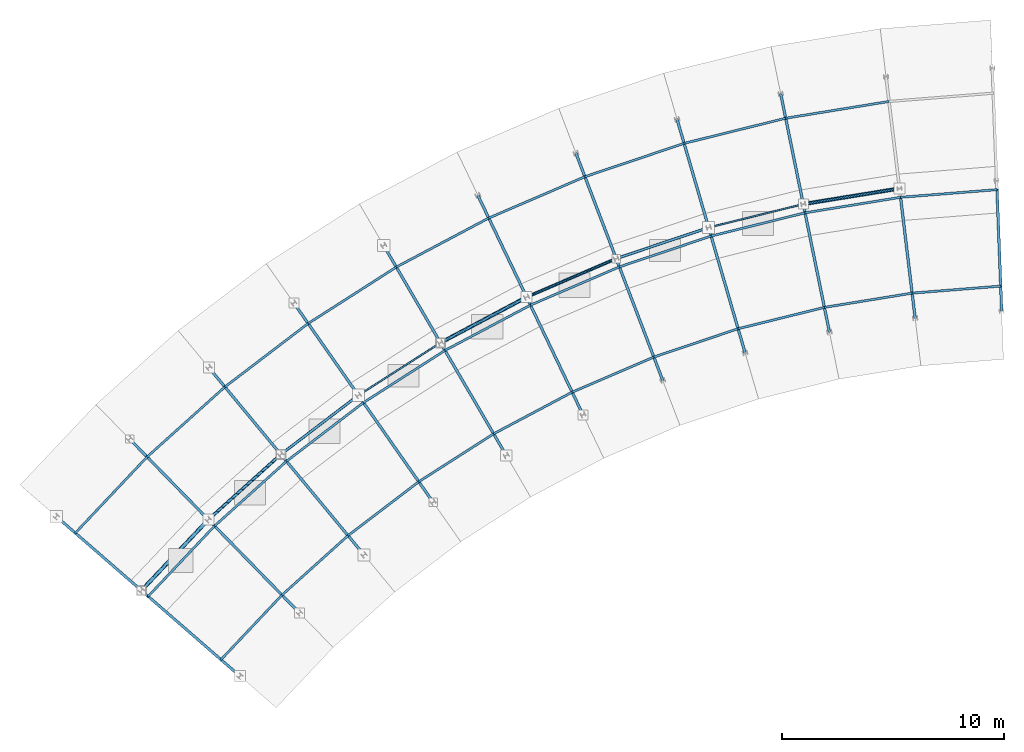
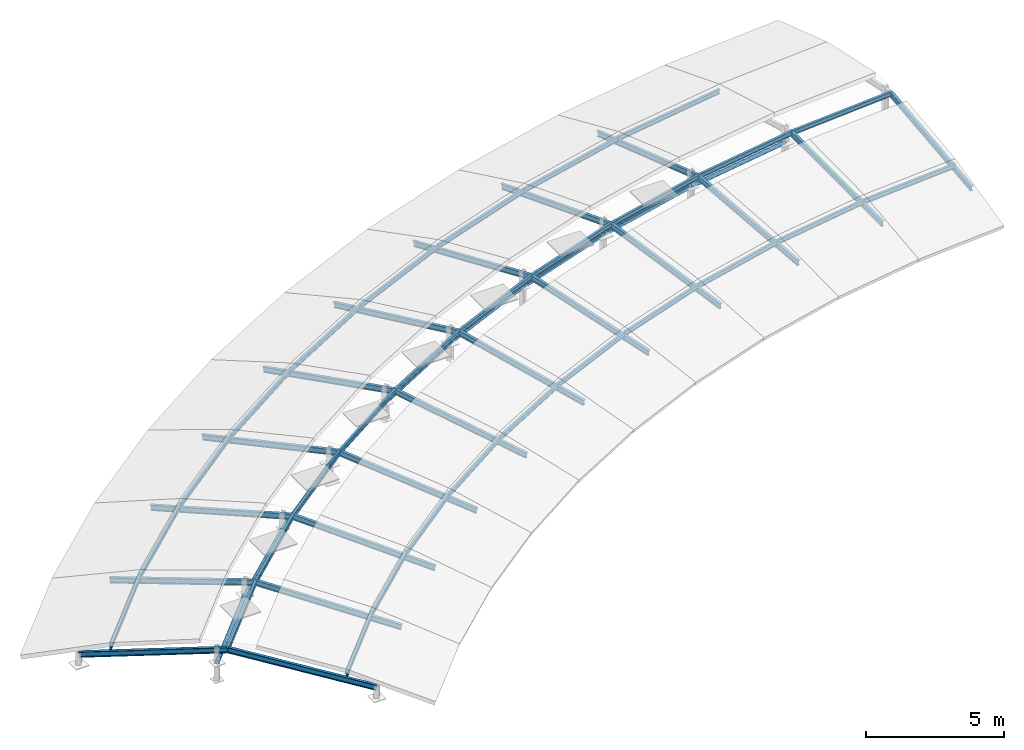
# One storey, part 6 of 8: 49 beams, 9 members.
"""IFC4 building model written with IfcOpenShell, lengths in metres."""

from ifc_helpers import new_model, si_unit, direction, frame, origin, origin_2d, place, context, subcontext, project, spatial, hollow_rectangle, hollow_circle, i_section, extrude, material, material_profile, profile_set, type_object, element, save


model = new_model("IFC4")

# Units and contexts
model_context = context("Model", 3, precision=1e-05, world=origin(), true_north=direction((0.0, 1.0)))
body_context = subcontext(model_context, "Body", "Model", "MODEL_VIEW")
ifc_project = project(units=[si_unit("LENGTHUNIT", "METRE"), si_unit("AREAUNIT", "SQUARE_METRE"), si_unit("VOLUMEUNIT", "CUBIC_METRE"), si_unit("PLANEANGLEUNIT", "RADIAN"), si_unit("MASSUNIT", "GRAM", prefix="KILO")], contexts=[model_context])

# Site, building, storey
site_placement = place(None, origin())
site = spatial("IfcSite", under=ifc_project, at=site_placement, CompositionType="ELEMENT")
building_placement = place(site_placement, origin())
building = spatial("IfcBuilding", under=site, at=building_placement, Name="Zimvara Arc Housing Community", CompositionType="ELEMENT")
storey_placement = place(building_placement, frame((0.0, 0.0, 45.300048828125)))
storey = spatial("IfcBuildingStorey", under=building, at=storey_placement, Name="RF", CompositionType="ELEMENT", Elevation=45.300048828125)

# Beams
ifc_material_1 = material(Name="Steel S355", Category="steel")
ifc_material_profile_1 = material_profile(ifc_material_1, i_section(OverallWidth=0.10009765625, OverallDepth=0.199951171875, WebThickness=0.005615234375, FlangeThickness=0.008544921875, FilletRadius=0.011962890625, at=origin_2d()), Name="IPE 200")
ifc_profile_set_1 = profile_set([ifc_material_profile_1], Name="Steel S355")
beam_type_1 = type_object("IfcBeamType", Name="BM-ST-IPE200", PredefinedType="JOIST", material=ifc_profile_set_1)
beam_1_placement = place(storey_placement, frame((7.9814453125, 76.6796875, 0.824951171875), z_axis=(0.68632994839, 0.727290314759, 0.0), x_axis=(-0.727290314759, 0.68632994839, 0.0)))
element("IfcBeam", 1, at=beam_1_placement, inside=storey, type_object=beam_type_1, Name="bm:blkA:RF:p_in:b0", PredefinedType="JOIST", context=body_context, shape_type="SweptSolid", body=[
    extrude(i_section(OverallWidth=0.10009765625, OverallDepth=0.199951171875, WebThickness=0.005615234375, FlangeThickness=0.008544921875, FilletRadius=0.011962890625, at=origin_2d()), origin(), (0.0, 0.0, 1.0), 4.00537109375),
])
beam_2_placement = place(storey_placement, frame((4.698486328125, 79.533447265625, 1.4150390625), z_axis=(0.686319345902, 0.727300319978, 0.0), x_axis=(-0.727300319978, 0.686319345902, 0.0)))
element("IfcBeam", 2, at=beam_2_placement, inside=storey, type_object=beam_type_1, Name="bm:blkA:RF:p_crb:b0", PredefinedType="JOIST", context=body_context, shape_type="SweptSolid", body=[
    extrude(i_section(OverallWidth=0.10009765625, OverallDepth=0.199951171875, WebThickness=0.005615234375, FlangeThickness=0.008544921875, FilletRadius=0.011962890625, at=origin_2d()), origin(), (0.0, 0.0, 1.0), 4.36083984375),
])
beam_3_placement = place(storey_placement, frame((1.41552734375, 82.387451171875, 0.824951171875), z_axis=(0.686334639467, 0.727285887851, 0.0), x_axis=(-0.727285887851, 0.686334639467, 0.0)))
element("IfcBeam", 3, at=beam_3_placement, inside=storey, type_object=beam_type_1, Name="bm:blkA:RF:p_out:b0", PredefinedType="JOIST", context=body_context, shape_type="SweptSolid", body=[
    extrude(i_section(OverallWidth=0.10009765625, OverallDepth=0.199951171875, WebThickness=0.005615234375, FlangeThickness=0.008544921875, FilletRadius=0.011962890625, at=origin_2d()), origin(), (0.0, 0.0, 1.0), 4.7158203125),
])
beam_4_placement = place(storey_placement, frame((10.73046875, 79.5927734375, 0.824951171875), z_axis=(0.743397187037, 0.66885022412, 0.0), x_axis=(-0.66885022412, 0.743397187037, 0.0)))
element("IfcBeam", 4, at=beam_4_placement, inside=storey, type_object=beam_type_1, Name="bm:blkA:RF:p_in:b1", PredefinedType="JOIST", context=body_context, shape_type="SweptSolid", body=[
    extrude(i_section(OverallWidth=0.10009765625, OverallDepth=0.199951171875, WebThickness=0.005615234375, FlangeThickness=0.008544921875, FilletRadius=0.011962890625, at=origin_2d()), origin(), (0.0, 0.0, 1.0), 4.00537109375),
])
beam_5_placement = place(storey_placement, frame((7.69140625, 82.705078125, 1.4150390625), z_axis=(0.74338601317, 0.668862643167, 0.0), x_axis=(-0.668862643167, 0.74338601317, 0.0)))
element("IfcBeam", 5, at=beam_5_placement, inside=storey, type_object=beam_type_1, Name="bm:blkA:RF:p_crb:b1", PredefinedType="JOIST", context=body_context, shape_type="SweptSolid", body=[
    extrude(i_section(OverallWidth=0.10009765625, OverallDepth=0.199951171875, WebThickness=0.005615234375, FlangeThickness=0.008544921875, FilletRadius=0.011962890625, at=origin_2d()), origin(), (0.0, 0.0, 1.0), 4.3603515625),
])
beam_6_placement = place(storey_placement, frame((4.652099609375, 85.817138671875, 0.824951171875), z_axis=(0.743373942038, 0.668876058997, 0.0), x_axis=(-0.668876058997, 0.743373942038, 0.0)))
element("IfcBeam", 6, at=beam_6_placement, inside=storey, type_object=beam_type_1, Name="bm:blkA:RF:p_out:b1", PredefinedType="JOIST", context=body_context, shape_type="SweptSolid", body=[
    extrude(i_section(OverallWidth=0.10009765625, OverallDepth=0.199951171875, WebThickness=0.005615234375, FlangeThickness=0.008544921875, FilletRadius=0.011962890625, at=origin_2d()), origin(), (0.0, 0.0, 1.0), 4.7158203125),
])
beam_7_placement = place(storey_placement, frame((13.7080078125, 82.271728515625, 0.824951171875), z_axis=(0.795456905732, 0.606010157608, 0.0), x_axis=(-0.606010157608, 0.795456905732, 0.0)))
element("IfcBeam", 7, at=beam_7_placement, inside=storey, type_object=beam_type_1, Name="bm:blkA:RF:p_in:b2", PredefinedType="JOIST", context=body_context, shape_type="SweptSolid", body=[
    extrude(i_section(OverallWidth=0.10009765625, OverallDepth=0.199951171875, WebThickness=0.005615234375, FlangeThickness=0.008544921875, FilletRadius=0.011962890625, at=origin_2d()), origin(), (0.0, 0.0, 1.0), 4.00537109375),
])
beam_8_placement = place(storey_placement, frame((10.932861328125, 85.62158203125, 1.4150390625), z_axis=(0.795462564036, 0.606002730372, 0.0), x_axis=(-0.606002730372, 0.795462564036, 0.0)))
element("IfcBeam", 8, at=beam_8_placement, inside=storey, type_object=beam_type_1, Name="bm:blkA:RF:p_crb:b2", PredefinedType="JOIST", context=body_context, shape_type="SweptSolid", body=[
    extrude(i_section(OverallWidth=0.10009765625, OverallDepth=0.199951171875, WebThickness=0.005615234375, FlangeThickness=0.008544921875, FilletRadius=0.011962890625, at=origin_2d()), origin(), (0.0, 0.0, 1.0), 4.360595703125),
])
beam_9_placement = place(storey_placement, frame((8.15771484375, 88.971435546875, 0.824951171875), z_axis=(0.795473313846, 0.605988619497, 0.0), x_axis=(-0.605988619497, 0.795473313846, 0.0)))
element("IfcBeam", 9, at=beam_9_placement, inside=storey, type_object=beam_type_1, Name="bm:blkA:RF:p_out:b2", PredefinedType="JOIST", context=body_context, shape_type="SweptSolid", body=[
    extrude(i_section(OverallWidth=0.10009765625, OverallDepth=0.199951171875, WebThickness=0.005615234375, FlangeThickness=0.008544921875, FilletRadius=0.011962890625, at=origin_2d()), origin(), (0.0, 0.0, 1.0), 4.7158203125),
])
beam_10_placement = place(storey_placement, frame((16.89404296875, 84.698974609375, 0.824951171875), z_axis=(0.84227582837, 0.539046778067, 0.0), x_axis=(-0.539046778067, 0.84227582837, 0.0)))
element("IfcBeam", 10, at=beam_10_placement, inside=storey, type_object=beam_type_1, Name="bm:blkA:RF:p_in:b3", PredefinedType="JOIST", context=body_context, shape_type="SweptSolid", body=[
    extrude(i_section(OverallWidth=0.10009765625, OverallDepth=0.199951171875, WebThickness=0.005615234375, FlangeThickness=0.008544921875, FilletRadius=0.011962890625, at=origin_2d()), origin(), (0.0, 0.0, 1.0), 4.005615234375),
])
beam_11_placement = place(storey_placement, frame((14.401611328125, 88.26416015625, 1.4150390625), z_axis=(0.842259198288, 0.539072762156, 0.0), x_axis=(-0.539072762156, 0.842259198288, 0.0)))
element("IfcBeam", 11, at=beam_11_placement, inside=storey, type_object=beam_type_1, Name="bm:blkA:RF:p_crb:b3", PredefinedType="JOIST", context=body_context, shape_type="SweptSolid", body=[
    extrude(i_section(OverallWidth=0.10009765625, OverallDepth=0.199951171875, WebThickness=0.005615234375, FlangeThickness=0.008544921875, FilletRadius=0.011962890625, at=origin_2d()), origin(), (0.0, 0.0, 1.0), 4.3603515625),
])
beam_12_placement = place(storey_placement, frame((11.908935546875, 91.8291015625, 0.824951171875), z_axis=(0.842251655676, 0.539084546718, 0.0), x_axis=(-0.539084546718, 0.842251655676, 0.0)))
element("IfcBeam", 12, at=beam_12_placement, inside=storey, type_object=beam_type_1, Name="bm:blkA:RF:p_out:b3", PredefinedType="JOIST", context=body_context, shape_type="SweptSolid", body=[
    extrude(i_section(OverallWidth=0.10009765625, OverallDepth=0.199951171875, WebThickness=0.005615234375, FlangeThickness=0.008544921875, FilletRadius=0.011962890625, at=origin_2d()), origin(), (0.0, 0.0, 1.0), 4.7158203125),
])
beam_13_placement = place(storey_placement, frame((20.267822265625, 86.858154296875, 0.824951171875), z_axis=(0.883428842422, 0.468565342697, 0.0), x_axis=(-0.468565342697, 0.883428842422, 0.0)))
element("IfcBeam", 13, at=beam_13_placement, inside=storey, type_object=beam_type_1, Name="bm:blkA:RF:p_in:b4", PredefinedType="JOIST", context=body_context, shape_type="SweptSolid", body=[
    extrude(i_section(OverallWidth=0.10009765625, OverallDepth=0.199951171875, WebThickness=0.005615234375, FlangeThickness=0.008544921875, FilletRadius=0.011962890625, at=origin_2d()), origin(), (0.0, 0.0, 1.0), 4.005126953125),
])
beam_14_placement = place(storey_placement, frame((18.07421875, 90.61474609375, 1.4150390625), z_axis=(0.883430850888, 0.468561555934, 0.0), x_axis=(-0.468561555934, 0.883430850888, 0.0)))
element("IfcBeam", 14, at=beam_14_placement, inside=storey, type_object=beam_type_1, Name="bm:blkA:RF:p_crb:b4", PredefinedType="JOIST", context=body_context, shape_type="SweptSolid", body=[
    extrude(i_section(OverallWidth=0.10009765625, OverallDepth=0.199951171875, WebThickness=0.005615234375, FlangeThickness=0.008544921875, FilletRadius=0.011962890625, at=origin_2d()), origin(), (0.0, 0.0, 1.0), 4.360595703125),
])
beam_15_placement = place(storey_placement, frame((15.880859375, 94.371337890625, 0.824951171875), z_axis=(0.883453985345, 0.468517935386, 0.0), x_axis=(-0.468517935386, 0.883453985345, 0.0)))
element("IfcBeam", 15, at=beam_15_placement, inside=storey, type_object=beam_type_1, Name="bm:blkA:RF:p_out:b4", PredefinedType="JOIST", context=body_context, shape_type="SweptSolid", body=[
    extrude(i_section(OverallWidth=0.10009765625, OverallDepth=0.199951171875, WebThickness=0.005615234375, FlangeThickness=0.008544921875, FilletRadius=0.011962890625, at=origin_2d()), origin(), (0.0, 0.0, 1.0), 4.7158203125),
])
beam_16_placement = place(storey_placement, frame((23.80615234375, 88.73486328125, 0.824951171875), z_axis=(0.918722044458, 0.394904805019, 0.0), x_axis=(-0.394904805019, 0.918722044458, 0.0)))
element("IfcBeam", 16, at=beam_16_placement, inside=storey, type_object=beam_type_1, Name="bm:blkA:RF:p_in:b5", PredefinedType="JOIST", context=body_context, shape_type="SweptSolid", body=[
    extrude(i_section(OverallWidth=0.10009765625, OverallDepth=0.199951171875, WebThickness=0.005615234375, FlangeThickness=0.008544921875, FilletRadius=0.011962890625, at=origin_2d()), origin(), (0.0, 0.0, 1.0), 4.00537109375),
])
beam_17_placement = place(storey_placement, frame((21.926513671875, 92.657958984375, 1.4150390625), z_axis=(0.918736221904, 0.39487182042, 0.0), x_axis=(-0.39487182042, 0.918736221904, 0.0)))
element("IfcBeam", 17, at=beam_17_placement, inside=storey, type_object=beam_type_1, Name="bm:blkA:RF:p_crb:b5", PredefinedType="JOIST", context=body_context, shape_type="SweptSolid", body=[
    extrude(i_section(OverallWidth=0.10009765625, OverallDepth=0.199951171875, WebThickness=0.005615234375, FlangeThickness=0.008544921875, FilletRadius=0.011962890625, at=origin_2d()), origin(), (0.0, 0.0, 1.0), 4.360595703125),
])
beam_18_placement = place(storey_placement, frame((20.047119140625, 96.580810546875, 0.824951171875), z_axis=(0.918721408935, 0.394906283521, 0.0), x_axis=(-0.394906283521, 0.918721408935, 0.0)))
element("IfcBeam", 18, at=beam_18_placement, inside=storey, type_object=beam_type_1, Name="bm:blkA:RF:p_out:b5", PredefinedType="JOIST", context=body_context, shape_type="SweptSolid", body=[
    extrude(i_section(OverallWidth=0.10009765625, OverallDepth=0.199951171875, WebThickness=0.005615234375, FlangeThickness=0.008544921875, FilletRadius=0.011962890625, at=origin_2d()), origin(), (0.0, 0.0, 1.0), 4.7158203125),
])
beam_19_placement = place(storey_placement, frame((27.486083984375, 90.316650390625, 0.824951171875), z_axis=(0.947887924161, 0.318603959847, 0.0), x_axis=(-0.318603959847, 0.947887924161, 0.0)))
element("IfcBeam", 19, at=beam_19_placement, inside=storey, type_object=beam_type_1, Name="bm:blkA:RF:p_in:b6", PredefinedType="JOIST", context=body_context, shape_type="SweptSolid", body=[
    extrude(i_section(OverallWidth=0.10009765625, OverallDepth=0.199951171875, WebThickness=0.005615234375, FlangeThickness=0.008544921875, FilletRadius=0.011962890625, at=origin_2d()), origin(), (0.0, 0.0, 1.0), 4.00537109375),
])
beam_20_placement = place(storey_placement, frame((25.932861328125, 94.3798828125, 1.4150390625), z_axis=(0.947879626716, 0.318628644751, 0.0), x_axis=(-0.318628644751, 0.947879626716, 0.0)))
element("IfcBeam", 20, at=beam_20_placement, inside=storey, type_object=beam_type_1, Name="bm:blkA:RF:p_crb:b6", PredefinedType="JOIST", context=body_context, shape_type="SweptSolid", body=[
    extrude(i_section(OverallWidth=0.10009765625, OverallDepth=0.199951171875, WebThickness=0.005615234375, FlangeThickness=0.008544921875, FilletRadius=0.011962890625, at=origin_2d()), origin(), (0.0, 0.0, 1.0), 4.360595703125),
])
beam_21_placement = place(storey_placement, frame((24.379638671875, 98.443115234375, 0.824951171875), z_axis=(0.947872578778, 0.318649610704, 0.0), x_axis=(-0.318649610704, 0.947872578778, 0.0)))
element("IfcBeam", 21, at=beam_21_placement, inside=storey, type_object=beam_type_1, Name="bm:blkA:RF:p_out:b6", PredefinedType="JOIST", context=body_context, shape_type="SweptSolid", body=[
    extrude(i_section(OverallWidth=0.10009765625, OverallDepth=0.199951171875, WebThickness=0.005615234375, FlangeThickness=0.008544921875, FilletRadius=0.011962890625, at=origin_2d()), origin(), (0.0, 0.0, 1.0), 4.7158203125),
])
beam_22_placement = place(storey_placement, frame((31.28271484375, 91.5927734375, 0.824951171875), z_axis=(0.970717036884, 0.240225798578, 0.0), x_axis=(-0.240225798578, 0.970717036884, 0.0)))
element("IfcBeam", 22, at=beam_22_placement, inside=storey, type_object=beam_type_1, Name="bm:blkA:RF:p_in:b7", PredefinedType="JOIST", context=body_context, shape_type="SweptSolid", body=[
    extrude(i_section(OverallWidth=0.10009765625, OverallDepth=0.199951171875, WebThickness=0.005615234375, FlangeThickness=0.008544921875, FilletRadius=0.011962890625, at=origin_2d()), origin(), (0.0, 0.0, 1.0), 4.005126953125),
])
beam_23_placement = place(storey_placement, frame((30.066162109375, 95.769287109375, 1.4150390625), z_axis=(0.970712841658, 0.240242750234, 0.0), x_axis=(-0.240242750234, 0.970712841658, 0.0)))
element("IfcBeam", 23, at=beam_23_placement, inside=storey, type_object=beam_type_1, Name="bm:blkA:RF:p_crb:b7", PredefinedType="JOIST", context=body_context, shape_type="SweptSolid", body=[
    extrude(i_section(OverallWidth=0.10009765625, OverallDepth=0.199951171875, WebThickness=0.005615234375, FlangeThickness=0.008544921875, FilletRadius=0.011962890625, at=origin_2d()), origin(), (0.0, 0.0, 1.0), 4.360595703125),
])
beam_24_placement = place(storey_placement, frame((28.849609375, 99.94580078125, 0.824951171875), z_axis=(0.970718363539, 0.240220437697, 0.0), x_axis=(-0.240220437697, 0.970718363539, 0.0)))
element("IfcBeam", 24, at=beam_24_placement, inside=storey, type_object=beam_type_1, Name="bm:blkA:RF:p_out:b7", PredefinedType="JOIST", context=body_context, shape_type="SweptSolid", body=[
    extrude(i_section(OverallWidth=0.10009765625, OverallDepth=0.199951171875, WebThickness=0.005615234375, FlangeThickness=0.008544921875, FilletRadius=0.011962890625, at=origin_2d()), origin(), (0.0, 0.0, 1.0), 4.7158203125),
])
beam_25_placement = place(storey_placement, frame((35.170654296875, 92.554931640625, 0.824951171875), z_axis=(0.987077089692, 0.160246120094, 0.0), x_axis=(-0.160246120094, 0.987077089692, 0.0)))
element("IfcBeam", 25, at=beam_25_placement, inside=storey, type_object=beam_type_1, Name="bm:blkA:RF:p_in:b8", PredefinedType="JOIST", context=body_context, shape_type="SweptSolid", body=[
    extrude(i_section(OverallWidth=0.10009765625, OverallDepth=0.199951171875, WebThickness=0.005615234375, FlangeThickness=0.008544921875, FilletRadius=0.011962890625, at=origin_2d()), origin(), (0.0, 0.0, 1.0), 4.00537109375),
])
beam_26_placement = place(storey_placement, frame((34.299072265625, 96.81689453125, 1.4150390625), z_axis=(0.987087060582, 0.160184689752, 0.0), x_axis=(-0.160184689752, 0.987087060582, 0.0)))
element("IfcBeam", 26, at=beam_26_placement, inside=storey, type_object=beam_type_1, Name="bm:blkA:RF:p_crb:b8", PredefinedType="JOIST", context=body_context, shape_type="SweptSolid", body=[
    extrude(i_section(OverallWidth=0.10009765625, OverallDepth=0.199951171875, WebThickness=0.005615234375, FlangeThickness=0.008544921875, FilletRadius=0.011962890625, at=origin_2d()), origin(), (0.0, 0.0, 1.0), 4.360595703125),
])
beam_27_placement = place(storey_placement, frame((33.42724609375, 101.07861328125, 0.824951171875), z_axis=(0.987079154812, 0.160233398938, 0.0), x_axis=(-0.160233398938, 0.987079154812, 0.0)))
element("IfcBeam", 27, at=beam_27_placement, inside=storey, type_object=beam_type_1, Name="bm:blkA:RF:p_out:b8", PredefinedType="JOIST", context=body_context, shape_type="SweptSolid", body=[
    extrude(i_section(OverallWidth=0.10009765625, OverallDepth=0.199951171875, WebThickness=0.005615234375, FlangeThickness=0.008544921875, FilletRadius=0.011962890625, at=origin_2d()), origin(), (0.0, 0.0, 1.0), 4.7158203125),
])
beam_28_placement = place(storey_placement, frame((39.124267578125, 93.19677734375, 0.824951171875), z_axis=(0.996860659962, 0.079175909342, 0.0), x_axis=(-0.079175909342, 0.996860659962, 0.0)))
element("IfcBeam", 28, at=beam_28_placement, inside=storey, type_object=beam_type_1, Name="bm:blkA:RF:p_in:b9", PredefinedType="JOIST", context=body_context, shape_type="SweptSolid", body=[
    extrude(i_section(OverallWidth=0.10009765625, OverallDepth=0.199951171875, WebThickness=0.005615234375, FlangeThickness=0.008544921875, FilletRadius=0.011962890625, at=origin_2d()), origin(), (0.0, 0.0, 1.0), 4.005615234375),
])
beam_29_placement = place(storey_placement, frame((38.603271484375, 97.515380859375, 1.4150390625), z_axis=(0.996861396187, 0.079166639383, 0.0), x_axis=(-0.079166639383, 0.996861396187, 0.0)))
element("IfcBeam", 29, at=beam_29_placement, inside=storey, type_object=beam_type_1, Name="bm:blkA:RF:p_crb:b9", PredefinedType="JOIST", context=body_context, shape_type="SweptSolid", body=[
    extrude(i_section(OverallWidth=0.10009765625, OverallDepth=0.199951171875, WebThickness=0.005615234375, FlangeThickness=0.008544921875, FilletRadius=0.011962890625, at=origin_2d()), origin(), (0.0, 0.0, 1.0), 4.360595703125),
])
ifc_material_2 = material(Name="Steel S355", Category="steel")
ifc_material_profile_2 = material_profile(ifc_material_2, i_section(OverallWidth=0.1201171875, OverallDepth=0.239990234375, WebThickness=0.006103515625, FlangeThickness=0.009765625, FilletRadius=0.014892578125, at=origin_2d()), Name="IPE 240")
ifc_profile_set_2 = profile_set([ifc_material_profile_2], Name="Steel S355")
beam_type_2 = type_object("IfcBeamType", Name="BM-ST-IPE240", PredefinedType="JOIST", material=ifc_profile_set_2)
for number, where, z_axis, x_axis, name in (
    (30, (8.834228515625, 75.938232421875, 0.462646484375), (-0.744011194202, 0.646771478502, 0.167731921526), (-0.656066201767, -0.754703344963, 0.0), "bm:blkA:RF:rf_in:g0"),
    (31, (4.698486328125, 79.533447265625, 1.39501953125), (-0.744011194202, 0.646771478502, -0.167731921526), (-0.656066201767, -0.754703344963, 0.0), "bm:blkA:RF:rf_out:g0"),
    (32, (11.52001953125, 78.784423828125, 0.462646484375), (-0.688760735142, 0.705318750519, 0.167732256568), (-0.715454895317, -0.698658924488, 0.0), "bm:blkA:RF:rf_in:g1"),
):
    element("IfcBeam", number, at=place(storey_placement, frame(where, z_axis=z_axis, x_axis=x_axis)), inside=storey, type_object=beam_type_2, Name=name, PredefinedType="JOIST", context=body_context, shape_type="SweptSolid", body=[
        extrude(i_section(OverallWidth=0.1201171875, OverallDepth=0.239990234375, WebThickness=0.006103515625, FlangeThickness=0.009765625, FilletRadius=0.014892578125, at=origin_2d()), origin(), (0.0, 0.0, 1.0), 5.55859375),
    ])
for number, where, z_axis, x_axis, name in (
    (33, (7.69140625, 82.705078125, 1.39501953125), (-0.688783819071, 0.705297414427, -0.16772718262), (-0.715432626107, -0.698681728329, 0.0), "bm:blkA:RF:rf_out:g1"),
    (34, (14.428955078125, 81.401611328125, 0.462646484375), (-0.628930737201, 0.759152778807, 0.167729503168), (-0.770062207182, -0.637968805719, 0.0), "bm:blkA:RF:rf_in:g2"),
    (35, (10.932861328125, 85.62158203125, 1.39501953125), (-0.628930737201, 0.759152778807, -0.167729503168), (-0.770062207182, -0.637968805719, 0.0), "bm:blkA:RF:rf_out:g2"),
    (36, (17.541748046875, 83.77294921875, 0.462646484375), (-0.564890173919, 0.807939639201, 0.167727847473), (-0.819549926471, -0.573007781815, 0.0), "bm:blkA:RF:rf_in:g3"),
):
    element("IfcBeam", number, at=place(storey_placement, frame(where, z_axis=z_axis, x_axis=x_axis)), inside=storey, type_object=beam_type_2, Name=name, PredefinedType="JOIST", context=body_context, shape_type="SweptSolid", body=[
        extrude(i_section(OverallWidth=0.1201171875, OverallDepth=0.239990234375, WebThickness=0.006103515625, FlangeThickness=0.009765625, FilletRadius=0.014892578125, at=origin_2d()), origin(), (0.0, 0.0, 1.0), 5.558837890625),
    ])
beam_30_placement = place(storey_placement, frame((14.401611328125, 88.26416015625, 1.39501953125), z_axis=(-0.564910219089, 0.807924388132, -0.167733799308), x_axis=(-0.819535298071, -0.573028703658, 0.0)))
element("IfcBeam", 37, at=beam_30_placement, inside=storey, type_object=beam_type_2, Name="bm:blkA:RF:rf_out:g3", PredefinedType="JOIST", context=body_context, shape_type="SweptSolid", body=[
    extrude(i_section(OverallWidth=0.1201171875, OverallDepth=0.239990234375, WebThickness=0.006103515625, FlangeThickness=0.009765625, FilletRadius=0.014892578125, at=origin_2d()), origin(), (0.0, 0.0, 1.0), 5.55859375),
])
beam_31_placement = place(storey_placement, frame((20.83740234375, 85.88232421875, 0.462646484375), z_axis=(-0.497082248369, 0.851337895599, 0.167729025139), x_axis=(-0.863572001787, -0.504225542521, 0.0)))
element("IfcBeam", 38, at=beam_31_placement, inside=storey, type_object=beam_type_2, Name="bm:blkA:RF:rf_in:g4", PredefinedType="JOIST", context=body_context, shape_type="SweptSolid", body=[
    extrude(i_section(OverallWidth=0.1201171875, OverallDepth=0.239990234375, WebThickness=0.006103515625, FlangeThickness=0.009765625, FilletRadius=0.014892578125, at=origin_2d()), origin(), (0.0, 0.0, 1.0), 5.558837890625),
])
beam_32_placement = place(storey_placement, frame((18.07421875, 90.61474609375, 1.39501953125), z_axis=(-0.497049179799, 0.851356481508, -0.167732686901), x_axis=(-0.863591400548, -0.504192317375, 0.0)))
element("IfcBeam", 39, at=beam_32_placement, inside=storey, type_object=beam_type_2, Name="bm:blkA:RF:rf_out:g4", PredefinedType="JOIST", context=body_context, shape_type="SweptSolid", body=[
    extrude(i_section(OverallWidth=0.1201171875, OverallDepth=0.239990234375, WebThickness=0.006103515625, FlangeThickness=0.009765625, FilletRadius=0.014892578125, at=origin_2d()), origin(), (0.0, 0.0, 1.0), 5.55859375),
])
beam_33_placement = place(storey_placement, frame((24.29443359375, 87.7158203125, 0.462646484375), z_axis=(-0.425971015556, 0.889053641396, 0.167726910858), x_axis=(-0.901829410646, -0.432092251833, 0.0)))
element("IfcBeam", 40, at=beam_33_placement, inside=storey, type_object=beam_type_2, Name="bm:blkA:RF:rf_in:g5", PredefinedType="JOIST", context=body_context, shape_type="SweptSolid", body=[
    extrude(i_section(OverallWidth=0.1201171875, OverallDepth=0.239990234375, WebThickness=0.006103515625, FlangeThickness=0.009765625, FilletRadius=0.014892578125, at=origin_2d()), origin(), (0.0, 0.0, 1.0), 5.558837890625),
])
beam_34_placement = place(storey_placement, frame((21.926513671875, 92.657958984375, 1.39501953125), z_axis=(-0.425951697072, 0.889061069513, -0.167736598383), x_axis=(-0.901838453327, -0.432073378143, 0.0)))
element("IfcBeam", 41, at=beam_34_placement, inside=storey, type_object=beam_type_2, Name="bm:blkA:RF:rf_out:g5", PredefinedType="JOIST", context=body_context, shape_type="SweptSolid", body=[
    extrude(i_section(OverallWidth=0.1201171875, OverallDepth=0.239990234375, WebThickness=0.006103515625, FlangeThickness=0.009765625, FilletRadius=0.014892578125, at=origin_2d()), origin(), (0.0, 0.0, 1.0), 5.55859375),
])
beam_35_placement = place(storey_placement, frame((27.889404296875, 89.260986328125, 0.462646484375), z_axis=(-0.35197090879, 0.920860250137, 0.167728587555), x_axis=(-0.9340933531, -0.357028861151, 0.0)))
element("IfcBeam", 42, at=beam_35_placement, inside=storey, type_object=beam_type_2, Name="bm:blkA:RF:rf_in:g6", PredefinedType="JOIST", context=body_context, shape_type="SweptSolid", body=[
    extrude(i_section(OverallWidth=0.1201171875, OverallDepth=0.239990234375, WebThickness=0.006103515625, FlangeThickness=0.009765625, FilletRadius=0.014892578125, at=origin_2d()), origin(), (0.0, 0.0, 1.0), 5.558837890625),
])
beam_36_placement = place(storey_placement, frame((25.932861328125, 94.3798828125, 1.39501953125), z_axis=(-0.352023623154, 0.920839336626, -0.167732778144), x_axis=(-0.93407281461, -0.357082591295, 0.0)))
element("IfcBeam", 43, at=beam_36_placement, inside=storey, type_object=beam_type_2, Name="bm:blkA:RF:rf_out:g6", PredefinedType="JOIST", context=body_context, shape_type="SweptSolid", body=[
    extrude(i_section(OverallWidth=0.1201171875, OverallDepth=0.239990234375, WebThickness=0.006103515625, FlangeThickness=0.009765625, FilletRadius=0.014892578125, at=origin_2d()), origin(), (0.0, 0.0, 1.0), 5.55859375),
])
beam_37_placement = place(storey_placement, frame((31.5986328125, 90.5078125, 0.462646484375), z_axis=(-0.275680856389, 0.94650280963, 0.167727447913), x_axis=(-0.960104216837, -0.279642437431, 0.0)))
element("IfcBeam", 44, at=beam_37_placement, inside=storey, type_object=beam_type_2, Name="bm:blkA:RF:rf_in:g7", PredefinedType="JOIST", context=body_context, shape_type="SweptSolid", body=[
    extrude(i_section(OverallWidth=0.1201171875, OverallDepth=0.239990234375, WebThickness=0.006103515625, FlangeThickness=0.009765625, FilletRadius=0.014892578125, at=origin_2d()), origin(), (0.0, 0.0, 1.0), 5.558837890625),
])
beam_38_placement = place(storey_placement, frame((30.066162109375, 95.769287109375, 1.39501953125), z_axis=(-0.275732898817, 0.946486774371, -0.167732389389), x_axis=(-0.960088769937, -0.279695466249, 0.0)))
element("IfcBeam", 45, at=beam_38_placement, inside=storey, type_object=beam_type_2, Name="bm:blkA:RF:rf_out:g7", PredefinedType="JOIST", context=body_context, shape_type="SweptSolid", body=[
    extrude(i_section(OverallWidth=0.1201171875, OverallDepth=0.239990234375, WebThickness=0.006103515625, FlangeThickness=0.009765625, FilletRadius=0.014892578125, at=origin_2d()), origin(), (0.0, 0.0, 1.0), 5.55859375),
])
beam_39_placement = place(storey_placement, frame((35.397216796875, 91.447998046875, 0.462646484375), z_axis=(-0.197550540784, 0.965836803554, 0.167729105215), x_axis=(-0.979716323781, -0.200389433148, 0.0)))
element("IfcBeam", 46, at=beam_39_placement, inside=storey, type_object=beam_type_2, Name="bm:blkA:RF:rf_in:g8", PredefinedType="JOIST", context=body_context, shape_type="SweptSolid", body=[
    extrude(i_section(OverallWidth=0.1201171875, OverallDepth=0.239990234375, WebThickness=0.006103515625, FlangeThickness=0.009765625, FilletRadius=0.014892578125, at=origin_2d()), origin(), (0.0, 0.0, 1.0), 5.558837890625),
])
for number, where, z_axis, x_axis, name in (
    (47, (34.299072265625, 96.81689453125, 1.39501953125), (-0.197601127782, 0.965825472311, -0.167734764837), (-0.979705786659, -0.200440942891, 0.0), "bm:blkA:RF:rf_out:g8"),
    (48, (39.259765625, 92.074951171875, 0.462646484375), (-0.118103182076, 0.978732357526, 0.167733749479), (-0.992797988576, -0.119800475286, 0.0), "bm:blkA:RF:rf_in:g9"),
    (49, (43.160400390625, 92.384765625, 0.462646484375), (-0.037816076504, 0.985106596866, 0.16773472261), (-0.999264001686, -0.03835954815, 0.0), "bm:blkA:RF:rf_in:g10"),
):
    element("IfcBeam", number, at=place(storey_placement, frame(where, z_axis=z_axis, x_axis=x_axis)), inside=storey, type_object=beam_type_2, Name=name, PredefinedType="JOIST", context=body_context, shape_type="SweptSolid", body=[
        extrude(i_section(OverallWidth=0.1201171875, OverallDepth=0.239990234375, WebThickness=0.006103515625, FlangeThickness=0.009765625, FilletRadius=0.014892578125, at=origin_2d()), origin(), (0.0, 0.0, 1.0), 5.55859375),
    ])

# Members
ifc_material_3 = material(Name="Steel S355", Category="steel")
ifc_material_profile_3 = material_profile(ifc_material_3, hollow_rectangle(XDim=0.1201171875, YDim=0.1201171875, WallThickness=0.00634765625, InnerFilletRadius=0.00634765625, OuterFilletRadius=0.0126953125, at=origin_2d()), Name="SHS 120x120x6.3")
ifc_profile_set_3 = profile_set([ifc_material_profile_3], Name="Steel S355")
member_type_1 = type_object("IfcMemberType", Name="MB-BRACE-SHS120", PredefinedType="BRACE", material=ifc_profile_set_3)
for number, where, z_axis, x_axis, name in (
    (50, (10.677734375, 85.9296875, 0.77001953125), (0.7954827462, 0.605976237569, 0.0), (-0.605976237569, 0.7954827462, 0.0), "mb:blkA:RF:brace:b2"),
    (51, (25.7900390625, 94.75341796875, 0.77001953125), (0.947868796036, 0.318660862832, 0.0), (-0.318660862832, 0.947868796036, 0.0), "mb:blkA:RF:brace:b6"),
):
    element("IfcMember", number, at=place(storey_placement, frame(where, z_axis=z_axis, x_axis=x_axis)), inside=storey, type_object=member_type_1, Name=name, PredefinedType="BRACE", context=body_context, shape_type="SweptSolid", body=[
        extrude(hollow_rectangle(XDim=0.1201171875, YDim=0.1201171875, WallThickness=0.00634765625, InnerFilletRadius=0.00634765625, OuterFilletRadius=0.0126953125, at=origin_2d()), origin(), (0.0, 0.0, 1.0), 4.39306640625),
    ])
ifc_material_4 = material(Name="Steel S355", Category="steel")
ifc_material_profile_4 = material_profile(ifc_material_4, hollow_rectangle(XDim=0.080078125, YDim=0.159912109375, WallThickness=0.00634765625, InnerFilletRadius=0.00634765625, OuterFilletRadius=0.0126953125, at=origin_2d()), Name="RHS 160x80x6.3")
ifc_profile_set_4 = profile_set([ifc_material_profile_4], Name="Steel S355")
member_type_2 = type_object("IfcMemberType", Name="MB-PURLIN-RHS160", PredefinedType="PURLIN", material=ifc_profile_set_4)
for number, where, z_axis, x_axis, name in (
    (52, (14.17236328125, 88.591796875, 0.77001953125), (0.842242131326, 0.539099427025, 0.0), (-0.539099427025, 0.842242131326, 0.0), "mb:blkA:RF:brace:b3"),
    (53, (29.9541015625, 96.1533203125, 0.77001953125), (0.970715094474, 0.240233647436, 0.0), (-0.240233647436, 0.970715094474, 0.0), "mb:blkA:RF:brace:b7"),
):
    element("IfcMember", number, at=place(storey_placement, frame(where, z_axis=z_axis, x_axis=x_axis)), inside=storey, type_object=member_type_2, Name=name, PredefinedType="PURLIN", context=body_context, shape_type="SweptSolid", body=[
        extrude(hollow_rectangle(XDim=0.080078125, YDim=0.159912109375, WallThickness=0.00634765625, InnerFilletRadius=0.00634765625, OuterFilletRadius=0.0126953125, at=origin_2d()), origin(), (0.0, 0.0, 1.0), 4.393310546875),
    ])
ifc_material_5 = material(Name="Steel S355", Category="steel")
ifc_material_profile_5 = material_profile(ifc_material_5, hollow_circle(Radius=0.06982421875, WallThickness=0.00634765625, at=origin_2d()), Name="CHS 139.7x6.3")
ifc_profile_set_5 = profile_set([ifc_material_profile_5], Name="Steel S355")
member_type_3 = type_object("IfcMemberType", Name="MB-STRUT-CHS140", PredefinedType="STRUT", material=ifc_profile_set_5)
for number, where, z_axis, x_axis, name in (
    (54, (7.411865234375, 82.9912109375, 0.77001953125), (0.743385326385, 0.668863406471, 0.0), (-0.668863406471, 0.743385326385, 0.0), "mb:blkA:RF:brace:b1"),
    (55, (21.75390625, 93.0185546875, 0.77001953125), (0.918724840088, 0.394898301093, 0.0), (-0.394898301093, 0.918724840088, 0.0), "mb:blkA:RF:brace:b5"),
):
    element("IfcMember", number, at=place(storey_placement, frame(where, z_axis=z_axis, x_axis=x_axis)), inside=storey, type_object=member_type_3, Name=name, PredefinedType="STRUT", context=body_context, shape_type="SweptSolid", body=[
        extrude(hollow_circle(Radius=0.06982421875, WallThickness=0.00634765625, at=origin_2d()), origin(), (0.0, 0.0, 1.0), 4.393310546875),
    ])
ifc_material_6 = material(Name="Steel S355", Category="steel")
ifc_material_profile_6 = material_profile(ifc_material_6, hollow_circle(Radius=0.084228515625, WallThickness=0.008056640625, at=origin_2d()), Name="CHS 168.3x8.0")
ifc_profile_set_6 = profile_set([ifc_material_profile_6], Name="Steel S355")
member_type_4 = type_object("IfcMemberType", Name="MB-STRUT-CHS168", PredefinedType="STRUT", material=ifc_profile_set_6)
for number, where, z_axis, x_axis, name in (
    (56, (4.396728515625, 79.7958984375, 0.77001953125), (0.686303637813, 0.727315142648, 0.0), (-0.727315142648, 0.686303637813, 0.0), "mb:blkA:RF:brace:b0"),
    (57, (17.87255859375, 90.960205078125, 0.77001953125), (0.883456526058, 0.468513144496, 0.0), (-0.468513144496, 0.883456526058, 0.0), "mb:blkA:RF:brace:b4"),
):
    element("IfcMember", number, at=place(storey_placement, frame(where, z_axis=z_axis, x_axis=x_axis)), inside=storey, type_object=member_type_4, Name=name, PredefinedType="STRUT", context=body_context, shape_type="SweptSolid", body=[
        extrude(hollow_circle(Radius=0.084228515625, WallThickness=0.008056640625, at=origin_2d()), origin(), (0.0, 0.0, 1.0), 4.393310546875),
    ])
member_placement = place(storey_placement, frame((34.21875, 97.208740234375, 0.77001953125), z_axis=(0.98708197233, 0.160216041337, 0.0), x_axis=(-0.160216041337, 0.98708197233, 0.0)))
element("IfcMember", 58, at=member_placement, inside=storey, type_object=member_type_4, Name="mb:blkA:RF:brace:b8", PredefinedType="STRUT", context=body_context, shape_type="SweptSolid", body=[
    extrude(hollow_circle(Radius=0.084228515625, WallThickness=0.008056640625, at=origin_2d()), origin(), (0.0, 0.0, 1.0), 4.39306640625),
])

save(model, "model.ifc")
